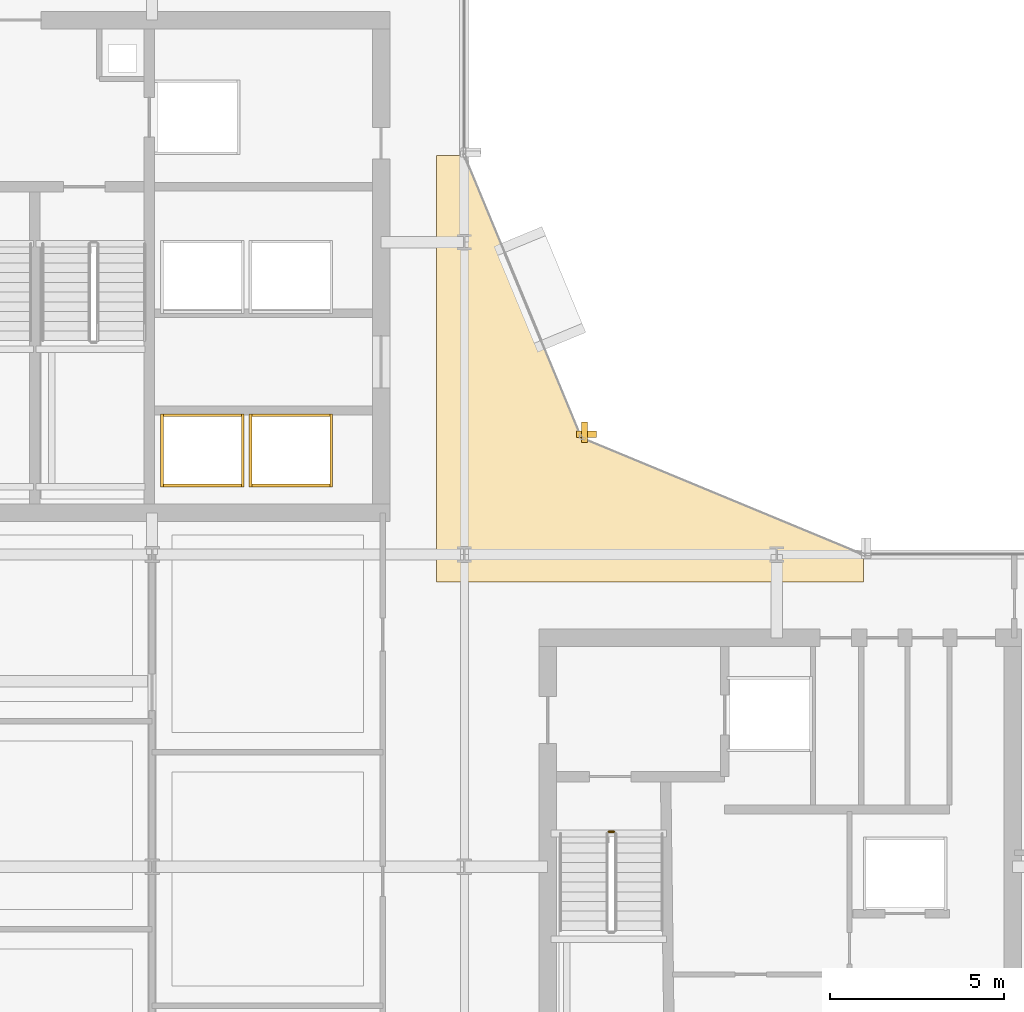
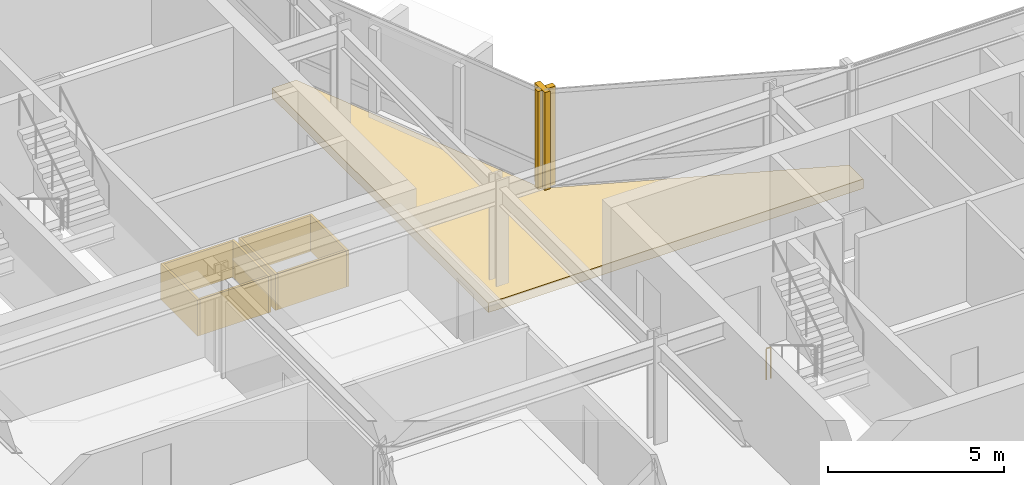
# One storey, part 26 of 28: 11 coverings, 1 railing.
"""IFC4 building model written with IfcOpenShell, lengths in metres."""

from ifc_helpers import new_model, si_unit, direction, frame, origin, origin_2d, place, context, subcontext, project, spatial, polyline, rectangle, circle, outline, extrude, material, layer, layer_set, type_object, element, save


model = new_model("IFC4")

# Units and contexts
model_context = context("Model", 3, precision=1e-05, world=origin(), true_north=direction((0.0, 1.0)))
body_context = subcontext(model_context, "Body", "Model", "MODEL_VIEW")
ifc_project = project(units=[si_unit("LENGTHUNIT", "METRE"), si_unit("AREAUNIT", "SQUARE_METRE"), si_unit("VOLUMEUNIT", "CUBIC_METRE"), si_unit("PLANEANGLEUNIT", "RADIAN"), si_unit("MASSUNIT", "GRAM", prefix="KILO")], contexts=[model_context])

# Site, building, storey
site_placement = place(None, origin())
site = spatial("IfcSite", under=ifc_project, at=site_placement, CompositionType="ELEMENT")
building_placement = place(site_placement, origin())
building = spatial("IfcBuilding", under=site, at=building_placement, Name="Solvaryn Broadcast Tower", CompositionType="ELEMENT")
storey_placement = place(building_placement, frame((0.0, 0.0, 132.199951171875)))
storey = spatial("IfcBuildingStorey", under=building, at=storey_placement, Name="L32", CompositionType="ELEMENT", Elevation=132.199951171875)

# Coverings
ifc_material_1 = material(Name="Fire-Rated Gypsum Shaftwall Liner", Category="concrete")
ifc_layer_1 = layer(ifc_material_1, 0.080078125)
ifc_layer_set_1 = layer_set([ifc_layer_1], Name="CV-SHAFT-LINER")
covering_type_1 = type_object("IfcCoveringType", Name="CV-SHAFT-LINER", PredefinedType="CLADDING", material=ifc_layer_set_1)
for number, where, z_axis, x_axis, name in (
    (1, (19.449951171875, 31.014892578125, 0.0), (0.0, 0.0, 1.0), (1.0, 0.0, 0.0), "L32 PH1 Hoistway Shaft Liner North"),
    (2, (19.449951171875, 28.985107421875, 0.0), (0.0, 0.0, 1.0), (1.0, 0.0, 0.0), "L32 PH1 Hoistway Shaft Liner South"),
):
    element("IfcCovering", number, at=place(storey_placement, frame(where, z_axis=z_axis, x_axis=x_axis)), inside=storey, type_object=covering_type_1, Name=name, PredefinedType="CLADDING", context=body_context, shape_type="SweptSolid", body=[
        extrude(rectangle(XDim=2.409912109375, YDim=0.080078125, at=origin_2d()), origin(), (0.0, 0.0, 1.0), 1.25),
    ])
for number, where, z_axis, x_axis, name in (
    (3, (20.614990234375, 30.0, 0.0), (0.0, 0.0, 1.0), (1.0, 0.0, 0.0), "L32 PH1 Hoistway Shaft Liner East"),
    (4, (18.284912109375, 30.0, 0.0), (0.0, 0.0, 1.0), (1.0, 0.0, 0.0), "L32 PH1 Hoistway Shaft Liner West"),
):
    element("IfcCovering", number, at=place(storey_placement, frame(where, z_axis=z_axis, x_axis=x_axis)), inside=storey, type_object=covering_type_1, Name=name, PredefinedType="CLADDING", context=body_context, shape_type="SweptSolid", body=[
        extrude(rectangle(XDim=0.080078125, YDim=2.110107421875, at=origin_2d()), origin(), (0.0, 0.0, 1.0), 1.25),
    ])
for number, where, z_axis, x_axis, name in (
    (5, (22.0, 31.014892578125, 0.0), (0.0, 0.0, 1.0), (1.0, 0.0, 0.0), "L32 PH2 Hoistway Shaft Liner North"),
    (6, (22.0, 28.985107421875, 0.0), (0.0, 0.0, 1.0), (1.0, 0.0, 0.0), "L32 PH2 Hoistway Shaft Liner South"),
):
    element("IfcCovering", number, at=place(storey_placement, frame(where, z_axis=z_axis, x_axis=x_axis)), inside=storey, type_object=covering_type_1, Name=name, PredefinedType="CLADDING", context=body_context, shape_type="SweptSolid", body=[
        extrude(rectangle(XDim=2.409912109375, YDim=0.080078125, at=origin_2d()), origin(), (0.0, 0.0, 1.0), 1.25),
    ])
for number, where, z_axis, x_axis, name in (
    (7, (23.1650390625, 30.0, 0.0), (0.0, 0.0, 1.0), (1.0, 0.0, 0.0), "L32 PH2 Hoistway Shaft Liner East"),
    (8, (20.8349609375, 30.0, 0.0), (0.0, 0.0, 1.0), (1.0, 0.0, 0.0), "L32 PH2 Hoistway Shaft Liner West"),
):
    element("IfcCovering", number, at=place(storey_placement, frame(where, z_axis=z_axis, x_axis=x_axis)), inside=storey, type_object=covering_type_1, Name=name, PredefinedType="CLADDING", context=body_context, shape_type="SweptSolid", body=[
        extrude(rectangle(XDim=0.080078125, YDim=2.110107421875, at=origin_2d()), origin(), (0.0, 0.0, 1.0), 1.25),
    ])
ifc_material_2 = material(Name="Extruded Architectural Terracotta Fin", Category="masonry")
ifc_layer_2 = layer(ifc_material_2, 0.179931640625)
ifc_layer_set_2 = layer_set([ifc_layer_2], Name="CV-TC-FIN")
covering_type_2 = type_object("IfcCoveringType", Name="CV-TC-FIN", PredefinedType="USERDEFINED", material=ifc_layer_set_2)
covering_1_placement = place(storey_placement, frame((30.464599609375, 30.52294921875, 0.0), z_axis=(0.0, 0.0, 1.0), x_axis=(1.0, 0.0, 0.0)))
element("IfcCovering", 9, at=covering_1_placement, inside=storey, type_object=covering_type_2, Name="L32 Terracotta Vertical Fin FIN-L32-CN1-M01", ObjectType="FIN", PredefinedType="USERDEFINED", context=body_context, shape_type="SweptSolid", body=[
    extrude(rectangle(XDim=0.179931640625, YDim=0.580078125, at=origin_2d()), origin(), (0.0, 0.0, 1.0), 3.419921875),
])
covering_2_placement = place(storey_placement, frame((30.52294921875, 30.464599609375, 0.0), z_axis=(0.0, 0.0, 1.0), x_axis=(1.0, 0.0, 0.0)))
element("IfcCovering", 10, at=covering_2_placement, inside=storey, type_object=covering_type_2, Name="L32 Terracotta Vertical Fin FIN-L32-CN2-M00", ObjectType="FIN", PredefinedType="USERDEFINED", context=body_context, shape_type="SweptSolid", body=[
    extrude(rectangle(XDim=0.580078125, YDim=0.179931640625, at=origin_2d()), origin(), (0.0, 0.0, 1.0), 3.419921875),
])
ifc_material_3 = material(Name="Sculpted Architectural Terracotta Wave Fascia", Category="masonry")
ifc_layer_3 = layer(ifc_material_3, 0.340087890625)
ifc_layer_set_3 = layer_set([ifc_layer_3], Name="CV-WAVE-TRAY")
covering_type_3 = type_object("IfcCoveringType", Name="CV-WAVE-TRAY", PredefinedType="CLADDING", material=ifc_layer_set_3)
covering_3_placement = place(storey_placement, frame((0.0, 0.0, -0.300048828125)))
element("IfcCovering", 11, at=covering_3_placement, inside=storey, type_object=covering_type_3, Name="L32 Concave Canyon Floor Apron", PredefinedType="CLADDING", context=body_context, shape_type="SweptSolid", body=[
    extrude(outline(polyline([(26.199951171875, 26.199951171875), (38.5, 26.199951171875), (38.5, 27.0), (30.367919921875, 30.367919921875), (27.0, 38.5), (26.199951171875, 38.5), (26.199951171875, 26.199951171875)])), origin(), (0.0, 0.0, 1.0), 0.330078125),
])

# Railing
ifc_material_4 = material(Name="Painted Steel Stair Well Guard", Category="steel")
railing_type = type_object("IfcRailingType", Name="RL-STAIR-GUARD", PredefinedType="BALUSTRADE", material=ifc_material_4)
railing_placement = place(storey_placement, frame((31.159912109375, 19.010009765625, 0.0)))
element("IfcRailing", 12, at=railing_placement, inside=storey, type_object=railing_type, Name="L32 ST3 stair guard 4", PredefinedType="BALUSTRADE", context=body_context, shape_type="SweptSolid", body=[
    extrude(circle(Radius=0.02392578125, at=origin_2d()), frame((0.0, 0.0, 1.076171875), z_axis=(1.0, 0.0, 0.0), x_axis=(0.0, 1.0, 0.0)), (0.0, 0.0, 1.0), 0.150146484375),
    extrude(circle(Radius=0.02099609375, at=origin_2d()), origin(), (0.0, 0.0, 1.0), 1.052001953125),
    extrude(circle(Radius=0.02099609375, at=origin_2d()), frame((0.150146484375, 0.0, 0.0)), (0.0, 0.0, 1.0), 1.052001953125),
])

save(model, "model.ifc")
